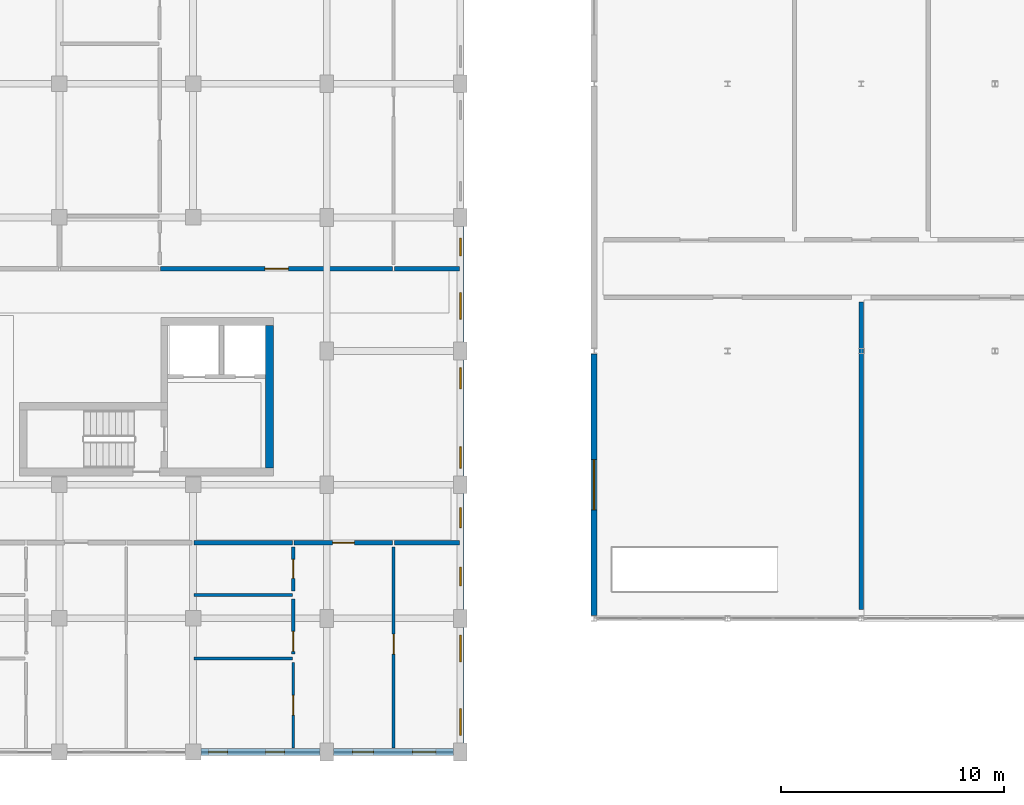
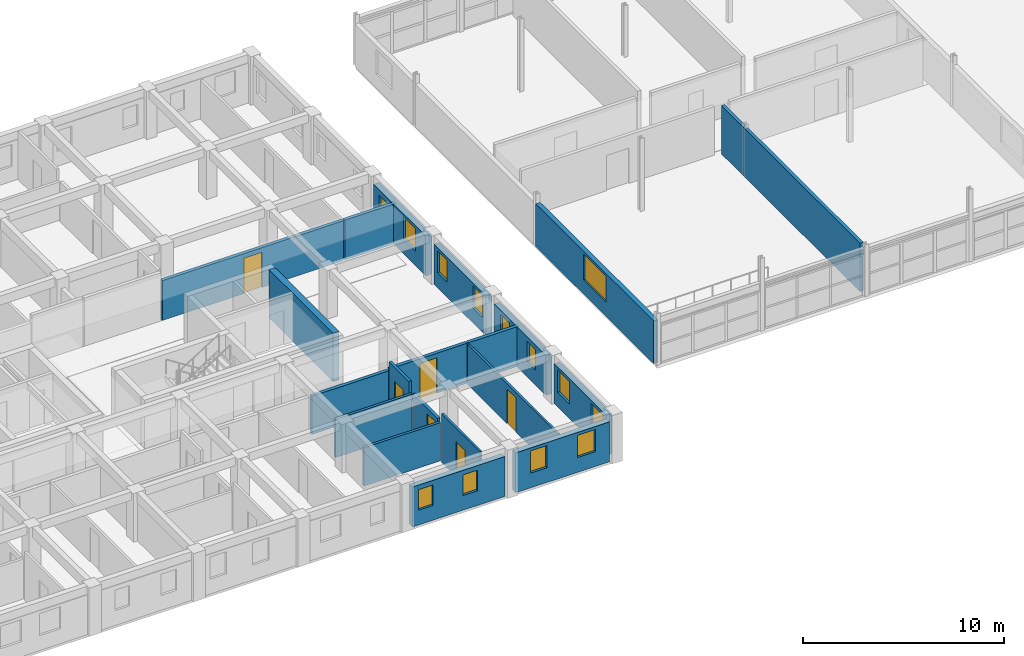
# One storey, part 108 of 137: 20 walls, 13 windows, 6 doors, 19 openings.
"""IFC4 building model written with IfcOpenShell, lengths in metres."""

from ifc_helpers import new_model, si_unit, direction, frame, frame_2d, origin, place, context, subcontext, project, spatial, rectangle, extrude, material, layer, layer_set, type_object, element, fill, save


model = new_model("IFC4")

# Units and contexts
model_context = context("Model", 3, precision=1e-05, world=origin(), true_north=direction((0.0, 1.0)))
body_context = subcontext(model_context, "Body", "Model", "MODEL_VIEW")
ifc_project = project(units=[si_unit("LENGTHUNIT", "METRE"), si_unit("AREAUNIT", "SQUARE_METRE"), si_unit("VOLUMEUNIT", "CUBIC_METRE"), si_unit("PLANEANGLEUNIT", "RADIAN"), si_unit("MASSUNIT", "GRAM", prefix="KILO"), si_unit("POWERUNIT", "WATT"), si_unit("THERMODYNAMICTEMPERATUREUNIT", "KELVIN")], contexts=[model_context])

# Site, building, storey
site_placement = place(None, origin())
site = spatial("IfcSite", under=ifc_project, at=site_placement, CompositionType="ELEMENT")
building_placement = place(site_placement, origin())
building = spatial("IfcBuilding", under=site, at=building_placement, Name="Ruvembo Vaulted Housing Court", CompositionType="ELEMENT")
storey_placement = place(building_placement, frame((0.0, 0.0, 4.5)))
storey = spatial("IfcBuildingStorey", under=building, at=storey_placement, Name="L01", CompositionType="ELEMENT", Elevation=4.5)

# Walls
ifc_material_1 = material(Name="Concrete C35/45", Category="concrete")
ifc_layer_1 = layer(ifc_material_1, 0.35009765625, Name="Concrete C35/45")
ifc_layer_set_1 = layer_set([ifc_layer_1], Name="Concrete C35/45")
wall_type_1 = type_object("IfcWallType", Name="WL-CORE-350", PredefinedType="SHEAR", material=ifc_layer_set_1)
wall_1_placement = place(storey_placement, frame((129.425048828125, 12.75, 0.0), z_axis=(0.0, 0.0, 1.0), x_axis=(0.0, 1.0, 0.0)))
element("IfcWall", 1, at=wall_1_placement, inside=storey, type_object=wall_type_1, Name="Core C2 L01 East Shear Wall", PredefinedType="SHEAR", context=body_context, shape_type="SweptSolid", body=[
    extrude(rectangle(XDim=6.39990234375, YDim=0.35009765625, at=frame_2d((3.199951171875, 0.0))), origin(), (0.0, 0.0, 1.0), 2.945068359375),
])
ifc_material_2 = material(Name="Concrete Blockwork 190", Category="masonry")
ifc_layer_2 = layer(ifc_material_2, 0.18994140625, Name="Concrete Blockwork 190")
ifc_layer_set_2 = layer_set([ifc_layer_2], Name="Concrete Blockwork 190")
wall_type_2 = type_object("IfcWallType", Name="WL-CORR-190", PredefinedType="SOLIDWALL", material=ifc_layer_set_2)
wall_2_placement = place(storey_placement, frame((156.0, 6.389892578125, 0.0), z_axis=(0.0, 0.0, 1.0), x_axis=(0.0, 1.0, 0.0)))
element("IfcWall", 2, at=wall_2_placement, inside=storey, type_object=wall_type_2, Name="L01 Resident Coworking Studio West Div WL-INT-L01-00171", PredefinedType="SOLIDWALL", context=body_context, shape_type="SweptSolid", body=[
    extrude(rectangle(XDim=13.820068359375, YDim=0.18994140625, at=frame_2d((6.91015625, 0.0))), origin(), (0.0, 0.0, 1.0), 2.945068359375),
])
wall_3_placement = place(storey_placement, frame((126.0400390625, 9.39990234375, 0.0), z_axis=(0.0, 0.0, 1.0), x_axis=(1.0, 0.0, 0.0)))
element("IfcWall", 3, at=wall_3_placement, inside=storey, type_object=wall_type_2, Name="L01 Flat C-L01-S3 Corridor Wall WL-INT-L01-00294", PredefinedType="SOLIDWALL", context=body_context, shape_type="SweptSolid", body=[
    extrude(rectangle(XDim=4.419921875, YDim=0.18994140625, at=frame_2d((2.2099609375, 0.0))), origin(), (0.0, 0.0, 1.0), 2.326904296875),
])

# Wall, opening, door
wall_4_placement = place(storey_placement, frame((130.5400390625, 9.39990234375, 0.0), z_axis=(0.0, 0.0, 1.0), x_axis=(1.0, 0.0, 0.0)))
wall_4 = element("IfcWall", 4, at=wall_4_placement, inside=storey, type_object=wall_type_2, Name="L01 Flat C-L01-S3 Entrance WL-INT-L01-00295", PredefinedType="SOLIDWALL", context=body_context, shape_type="SweptSolid", body=[
    extrude(rectangle(XDim=4.419921875, YDim=0.18994140625, at=frame_2d((2.2099609375, 0.0))), origin(), (0.0, 0.0, 1.0), 2.427001953125),
])
opening_1_placement = place(wall_4_placement, frame((1.719970703125, 0.0, 0.0)))
opening_1 = element("IfcOpeningElement", 5, at=opening_1_placement, cuts=wall_4, Name="Opening FD2", PredefinedType="OPENING", context=body_context, shape_type="SweptSolid", body=[
    extrude(rectangle(XDim=0.97998046875, YDim=2.14990234375, at=frame_2d((0.489990234375, 1.074951171875))), frame((0.0, 0.10498046875, 0.0), z_axis=(0.0, -1.0, 0.0), x_axis=(1.0, 0.0, 0.0)), (0.0, 0.0, 1.0), 0.2099609375),
])
ifc_material_3 = material(Name="FSC Hardwood and Engineered Timber", Category="wood")
door_type_1 = type_object("IfcDoorType", Name="DR-FLAT-0980x2150", OperationType="NOTDEFINED", PredefinedType="DOOR", material=ifc_material_3)
door_1_placement = place(opening_1_placement, origin())
door_1 = element("IfcDoor", 6, at=door_1_placement, inside=storey, type_object=door_type_1, Name="L01 Flat C-L01-S3 Entrance Door DR-INT-L01-00148", OperationType="SINGLE_SWING_RIGHT", OverallHeight=2.14990234375, OverallWidth=0.97998046875, PredefinedType="DOOR", context=body_context, shape_type="SweptSolid", body=[
    extrude(rectangle(XDim=0.97998046875, YDim=2.14990234375, at=frame_2d((0.489990234375, 1.074951171875))), frame((0.0, 0.02490234375, 0.0), z_axis=(0.0, -1.0, 0.0), x_axis=(1.0, 0.0, 0.0)), (0.0, 0.0, 1.0), 0.050048828125),
])
fill(opening_1, door_1)

# Wall
wall_5_placement = place(storey_placement, frame((135.0400390625, 9.39990234375, 0.0), z_axis=(0.0, 0.0, 1.0), x_axis=(1.0, 0.0, 0.0)))
element("IfcWall", 7, at=wall_5_placement, inside=storey, type_object=wall_type_2, Name="L01 Flat C-L01-S3 Corridor Wall 2 WL-INT-L01-00301", PredefinedType="SOLIDWALL", context=body_context, shape_type="SweptSolid", body=[
    extrude(rectangle(XDim=2.919921875, YDim=0.18994140625, at=frame_2d((1.4599609375, 0.0))), origin(), (0.0, 0.0, 1.0), 2.427001953125),
])

# Wall, opening, door
wall_6_placement = place(storey_placement, frame((124.5400390625, 21.699951171875, 0.0), z_axis=(0.0, 0.0, 1.0), x_axis=(1.0, 0.0, 0.0)))
wall_6 = element("IfcWall", 8, at=wall_6_placement, inside=storey, type_object=wall_type_2, Name="L01 Flat C-L01-N2 Entrance WL-INT-L01-00314", PredefinedType="SOLIDWALL", context=body_context, shape_type="SweptSolid", body=[
    extrude(rectangle(XDim=10.419921875, YDim=0.18994140625, at=frame_2d((5.2099609375, 0.0))), origin(), (0.0, 0.0, 1.0), 2.427001953125),
])
opening_2_placement = place(wall_6_placement, frame((4.68505859375, 0.0, 0.0)))
opening_2 = element("IfcOpeningElement", 9, at=opening_2_placement, cuts=wall_6, Name="Opening FD3", PredefinedType="OPENING", context=body_context, shape_type="SweptSolid", body=[
    extrude(rectangle(XDim=1.050048828125, YDim=2.14990234375, at=frame_2d((0.52490234375, 1.074951171875))), frame((0.0, 0.10498046875, 0.0), z_axis=(0.0, -1.0, 0.0), x_axis=(1.0, 0.0, 0.0)), (0.0, 0.0, 1.0), 0.2099609375),
])
door_type_2 = type_object("IfcDoorType", Name="DR-FLAT-1050x2150", OperationType="NOTDEFINED", PredefinedType="DOOR", material=ifc_material_3)
door_2_placement = place(opening_2_placement, origin())
door_2 = element("IfcDoor", 10, at=door_2_placement, inside=storey, type_object=door_type_2, Name="L01 Flat C-L01-N2 Entrance Door DR-INT-L01-00158", OperationType="SINGLE_SWING_RIGHT", OverallHeight=2.14990234375, OverallWidth=1.050048828125, PredefinedType="DOOR", context=body_context, shape_type="SweptSolid", body=[
    extrude(rectangle(XDim=1.050048828125, YDim=2.14990234375, at=frame_2d((0.52490234375, 1.074951171875))), frame((0.0, 0.02490234375, 0.0), z_axis=(0.0, -1.0, 0.0), x_axis=(1.0, 0.0, 0.0)), (0.0, 0.0, 1.0), 0.050048828125),
])
fill(opening_2, door_2)

# Wall
wall_7_placement = place(storey_placement, frame((135.0400390625, 21.699951171875, 0.0), z_axis=(0.0, 0.0, 1.0), x_axis=(1.0, 0.0, 0.0)))
element("IfcWall", 11, at=wall_7_placement, inside=storey, type_object=wall_type_2, Name="L01 Flat C-L01-N2 Corridor Wall 2 WL-INT-L01-00320", PredefinedType="SOLIDWALL", context=body_context, shape_type="SweptSolid", body=[
    extrude(rectangle(XDim=2.919921875, YDim=0.18994140625, at=frame_2d((1.4599609375, 0.0))), origin(), (0.0, 0.0, 1.0), 2.427001953125),
])

# Wall, opening, window
ifc_material_4 = material(Name="Rendered Masonry 260", Category="masonry")
ifc_layer_3 = layer(ifc_material_4, 0.260009765625, Name="Rendered Masonry 260")
ifc_layer_set_3 = layer_set([ifc_layer_3], Name="Rendered Masonry 260")
wall_type_3 = type_object("IfcWallType", Name="WL-EXT-260", PredefinedType="STANDARD", material=ifc_layer_set_3)
wall_8_placement = place(storey_placement, frame((144.0, 17.8798828125, 0.0), z_axis=(0.0, 0.0, 1.0), x_axis=(0.0, -1.0, 0.0)))
wall_8 = element("IfcWall", 12, at=wall_8_placement, inside=storey, type_object=wall_type_3, Name="Shops W Facade Wall L01 Bay 1", PredefinedType="STANDARD", context=body_context, shape_type="SweptSolid", body=[
    extrude(rectangle(XDim=11.759765625, YDim=0.260009765625, at=frame_2d((5.8798828125, 0.0))), origin(), (0.0, 0.0, 1.0), 2.60009765625),
])
opening_3_placement = place(wall_8_placement, frame((4.7548828125, 0.0, 0.85009765625)))
opening_3 = element("IfcOpeningElement", 13, at=opening_3_placement, cuts=wall_8, Name="Opening W27", PredefinedType="OPENING", context=body_context, shape_type="SweptSolid", body=[
    extrude(rectangle(XDim=2.25, YDim=1.580078125, at=frame_2d((1.125, 0.7900390625))), frame((0.0, 0.139892578125, 0.0), z_axis=(0.0, -1.0, 0.0), x_axis=(1.0, 0.0, 0.0)), (0.0, 0.0, 1.0), 0.280029296875),
])
ifc_material_5 = material(Name="Double Solar-Control Glazing in Aluminium Frame", Category="aluminium")
window_type_1 = type_object("IfcWindowType", Name="WIN-2250x1600", PartitioningType="SINGLE_PANEL", PredefinedType="WINDOW", material=ifc_material_5)
window_1_placement = place(opening_3_placement, origin())
window_1 = element("IfcWindow", 14, at=window_1_placement, inside=storey, type_object=window_type_1, Name="Shops W Window L01 #1", OverallHeight=1.580078125, OverallWidth=2.25, PartitioningType="SINGLE_PANEL", PredefinedType="WINDOW", context=body_context, shape_type="SweptSolid", body=[
    extrude(rectangle(XDim=2.25, YDim=1.580078125, at=frame_2d((1.125, 0.7900390625))), frame((0.0, 0.030029296875, 0.0), z_axis=(0.0, -1.0, 0.0), x_axis=(1.0, 0.0, 0.0)), (0.0, 0.0, 1.0), 0.06005859375),
])
fill(opening_3, window_1)

# Wall, openings, windows
ifc_material_6 = material(Name="Rendered Masonry 320", Category="masonry")
ifc_layer_4 = layer(ifc_material_6, 0.320068359375, Name="Rendered Masonry 320")
ifc_layer_set_4 = layer_set([ifc_layer_4], Name="Rendered Masonry 320")
wall_type_4 = type_object("IfcWallType", Name="WL-EXT-320", PredefinedType="STANDARD", material=ifc_layer_set_4)
wall_9_placement = place(storey_placement, frame((126.35009765625, 0.0, 0.0), z_axis=(0.0, 0.0, 1.0), x_axis=(1.0, 0.0, 0.0)))
wall_9 = element("IfcWall", 15, at=wall_9_placement, inside=storey, type_object=wall_type_4, Name="Block C L01 Exterior Wall STREET #5", PredefinedType="STANDARD", context=body_context, shape_type="SweptSolid", body=[
    extrude(rectangle(XDim=5.349853515625, YDim=0.320068359375, at=frame_2d((2.6748046875, 0.0))), origin(), (0.0, 0.0, 1.0), 2.427001953125),
])
opening_4_placement = place(wall_9_placement, frame((0.35009765625, 0.0, 0.89990234375)))
opening_4 = element("IfcOpeningElement", 16, at=opening_4_placement, cuts=wall_9, Name="Opening W03", PredefinedType="OPENING", context=body_context, shape_type="SweptSolid", body=[
    extrude(rectangle(XDim=0.85009765625, YDim=1.25, at=frame_2d((0.425048828125, 0.625))), frame((0.0, 0.169921875, 0.0), z_axis=(0.0, -1.0, 0.0), x_axis=(1.0, 0.0, 0.0)), (0.0, 0.0, 1.0), 0.340087890625),
])
opening_5_placement = place(wall_9_placement, frame((2.909912109375, 0.0, 0.89990234375)))
opening_5 = element("IfcOpeningElement", 17, at=opening_5_placement, cuts=wall_9, Name="Opening W03", PredefinedType="OPENING", context=body_context, shape_type="SweptSolid", body=[
    extrude(rectangle(XDim=0.85009765625, YDim=1.25, at=frame_2d((0.425048828125, 0.625))), frame((0.0, 0.169921875, 0.0), z_axis=(0.0, -1.0, 0.0), x_axis=(1.0, 0.0, 0.0)), (0.0, 0.0, 1.0), 0.340087890625),
])
window_type_2 = type_object("IfcWindowType", Name="WIN-0850x1250", PartitioningType="SINGLE_PANEL", PredefinedType="WINDOW", material=ifc_material_5)
window_2_placement = place(opening_4_placement, origin())
window_2 = element("IfcWindow", 18, at=window_2_placement, inside=storey, type_object=window_type_2, Name="Block C L01 Window #1117", OverallHeight=1.25, OverallWidth=0.85009765625, PartitioningType="SINGLE_PANEL", PredefinedType="WINDOW", context=body_context, shape_type="SweptSolid", body=[
    extrude(rectangle(XDim=0.85009765625, YDim=1.25, at=frame_2d((0.425048828125, 0.625))), frame((0.0, 0.030029296875, 0.0), z_axis=(0.0, -1.0, 0.0), x_axis=(1.0, 0.0, 0.0)), (0.0, 0.0, 1.0), 0.06005859375),
])
fill(opening_4, window_2)
window_3_placement = place(opening_5_placement, origin())
window_3 = element("IfcWindow", 19, at=window_3_placement, inside=storey, type_object=window_type_2, Name="Block C L01 Window #1118", OverallHeight=1.25, OverallWidth=0.85009765625, PartitioningType="SINGLE_PANEL", PredefinedType="WINDOW", context=body_context, shape_type="SweptSolid", body=[
    extrude(rectangle(XDim=0.85009765625, YDim=1.25, at=frame_2d((0.425048828125, 0.625))), frame((0.0, 0.030029296875, 0.0), z_axis=(0.0, -1.0, 0.0), x_axis=(1.0, 0.0, 0.0)), (0.0, 0.0, 1.0), 0.06005859375),
])
fill(opening_5, window_3)

wall_10_placement = place(storey_placement, frame((132.300048828125, 0.0, 0.0), z_axis=(0.0, 0.0, 1.0), x_axis=(1.0, 0.0, 0.0)))
wall_10 = element("IfcWall", 20, at=wall_10_placement, inside=storey, type_object=wall_type_4, Name="Block C L01 Exterior Wall STREET #6", PredefinedType="STANDARD", context=body_context, shape_type="SweptSolid", body=[
    extrude(rectangle(XDim=5.39990234375, YDim=0.320068359375, at=frame_2d((2.699951171875, 0.0))), origin(), (0.0, 0.0, 1.0), 2.427001953125),
])
opening_6_placement = place(wall_10_placement, frame((0.85498046875, 0.0, 0.89990234375)))
opening_6 = element("IfcOpeningElement", 21, at=opening_6_placement, cuts=wall_10, Name="Opening W07", PredefinedType="OPENING", context=body_context, shape_type="SweptSolid", body=[
    extrude(rectangle(XDim=0.949951171875, YDim=1.35009765625, at=frame_2d((0.47509765625, 0.675048828125))), frame((0.0, 0.169921875, 0.0), z_axis=(0.0, -1.0, 0.0), x_axis=(1.0, 0.0, 0.0)), (0.0, 0.0, 1.0), 0.340087890625),
])
opening_7_placement = place(wall_10_placement, frame((3.544921875, 0.0, 0.89990234375)))
opening_7 = element("IfcOpeningElement", 22, at=opening_7_placement, cuts=wall_10, Name="Opening W09", PredefinedType="OPENING", context=body_context, shape_type="SweptSolid", body=[
    extrude(rectangle(XDim=1.050048828125, YDim=1.35009765625, at=frame_2d((0.52490234375, 0.675048828125))), frame((0.0, 0.169921875, 0.0), z_axis=(0.0, -1.0, 0.0), x_axis=(1.0, 0.0, 0.0)), (0.0, 0.0, 1.0), 0.340087890625),
])
window_type_3 = type_object("IfcWindowType", Name="WIN-0950x1350", PartitioningType="SINGLE_PANEL", PredefinedType="WINDOW", material=ifc_material_5)
window_4_placement = place(opening_6_placement, origin())
window_4 = element("IfcWindow", 23, at=window_4_placement, inside=storey, type_object=window_type_3, Name="Block C L01 Window #1119", OverallHeight=1.35009765625, OverallWidth=0.949951171875, PartitioningType="SINGLE_PANEL", PredefinedType="WINDOW", context=body_context, shape_type="SweptSolid", body=[
    extrude(rectangle(XDim=0.949951171875, YDim=1.35009765625, at=frame_2d((0.47509765625, 0.675048828125))), frame((0.0, 0.030029296875, 0.0), z_axis=(0.0, -1.0, 0.0), x_axis=(1.0, 0.0, 0.0)), (0.0, 0.0, 1.0), 0.06005859375),
])
fill(opening_6, window_4)
window_type_4 = type_object("IfcWindowType", Name="WIN-1050x1350", PartitioningType="SINGLE_PANEL", PredefinedType="WINDOW", material=ifc_material_5)
window_5_placement = place(opening_7_placement, origin())
window_5 = element("IfcWindow", 24, at=window_5_placement, inside=storey, type_object=window_type_4, Name="Block C L01 Window #1120", OverallHeight=1.35009765625, OverallWidth=1.050048828125, PartitioningType="SINGLE_PANEL", PredefinedType="WINDOW", context=body_context, shape_type="SweptSolid", body=[
    extrude(rectangle(XDim=1.050048828125, YDim=1.35009765625, at=frame_2d((0.52490234375, 0.675048828125))), frame((0.0, 0.030029296875, 0.0), z_axis=(0.0, -1.0, 0.0), x_axis=(1.0, 0.0, 0.0)), (0.0, 0.0, 1.0), 0.06005859375),
])
fill(opening_7, window_5)

wall_11_placement = place(storey_placement, frame((138.0, 0.39990234375, 0.0), z_axis=(0.0, 0.0, 1.0), x_axis=(0.0, 1.0, 0.0)))
wall_11 = element("IfcWall", 25, at=wall_11_placement, inside=storey, type_object=wall_type_4, Name="Block C L01 Exterior Wall EAST #1", PredefinedType="STANDARD", context=body_context, shape_type="SweptSolid", body=[
    extrude(rectangle(XDim=5.2001953125, YDim=0.320068359375, at=frame_2d((2.60009765625, 0.0))), origin(), (0.0, 0.0, 1.0), 2.427001953125),
])
opening_8_placement = place(wall_11_placement, frame((0.35009765625, 0.0, 0.89990234375)))
opening_8 = element("IfcOpeningElement", 26, at=opening_8_placement, cuts=wall_11, Name="Opening W12", PredefinedType="OPENING", context=body_context, shape_type="SweptSolid", body=[
    extrude(rectangle(XDim=1.199951171875, YDim=1.35009765625, at=frame_2d((0.60009765625, 0.675048828125))), frame((0.0, 0.169921875, 0.0), z_axis=(0.0, -1.0, 0.0), x_axis=(1.0, 0.0, 0.0)), (0.0, 0.0, 1.0), 0.340087890625),
])
opening_9_placement = place(wall_11_placement, frame((3.64990234375, 0.0, 0.89990234375)))
opening_9 = element("IfcOpeningElement", 27, at=opening_9_placement, cuts=wall_11, Name="Opening W12", PredefinedType="OPENING", context=body_context, shape_type="SweptSolid", body=[
    extrude(rectangle(XDim=1.199951171875, YDim=1.35009765625, at=frame_2d((0.60009765625, 0.675048828125))), frame((0.0, 0.169921875, 0.0), z_axis=(0.0, -1.0, 0.0), x_axis=(1.0, 0.0, 0.0)), (0.0, 0.0, 1.0), 0.340087890625),
])
window_type_5 = type_object("IfcWindowType", Name="WIN-1200x1350", PartitioningType="SINGLE_PANEL", PredefinedType="WINDOW", material=ifc_material_5)
window_6_placement = place(opening_8_placement, origin())
window_6 = element("IfcWindow", 28, at=window_6_placement, inside=storey, type_object=window_type_5, Name="Block C L01 Window #1121", OverallHeight=1.35009765625, OverallWidth=1.199951171875, PartitioningType="SINGLE_PANEL", PredefinedType="WINDOW", context=body_context, shape_type="SweptSolid", body=[
    extrude(rectangle(XDim=1.199951171875, YDim=1.35009765625, at=frame_2d((0.60009765625, 0.675048828125))), frame((0.0, 0.030029296875, 0.0), z_axis=(0.0, -1.0, 0.0), x_axis=(1.0, 0.0, 0.0)), (0.0, 0.0, 1.0), 0.06005859375),
])
fill(opening_8, window_6)
window_7_placement = place(opening_9_placement, origin())
window_7 = element("IfcWindow", 29, at=window_7_placement, inside=storey, type_object=window_type_5, Name="Block C L01 Window #1122", OverallHeight=1.35009765625, OverallWidth=1.199951171875, PartitioningType="SINGLE_PANEL", PredefinedType="WINDOW", context=body_context, shape_type="SweptSolid", body=[
    extrude(rectangle(XDim=1.199951171875, YDim=1.35009765625, at=frame_2d((0.60009765625, 0.675048828125))), frame((0.0, 0.030029296875, 0.0), z_axis=(0.0, -1.0, 0.0), x_axis=(1.0, 0.0, 0.0)), (0.0, 0.0, 1.0), 0.06005859375),
])
fill(opening_9, window_7)

wall_12_placement = place(storey_placement, frame((138.0, 6.39990234375, 0.0), z_axis=(0.0, 0.0, 1.0), x_axis=(0.0, 1.0, 0.0)))
wall_12 = element("IfcWall", 30, at=wall_12_placement, inside=storey, type_object=wall_type_4, Name="Block C L01 Exterior Wall EAST #2", PredefinedType="STANDARD", context=body_context, shape_type="SweptSolid", body=[
    extrude(rectangle(XDim=5.2001953125, YDim=0.320068359375, at=frame_2d((2.60009765625, 0.0))), origin(), (0.0, 0.0, 1.0), 2.427001953125),
])
opening_10_placement = place(wall_12_placement, frame((1.054931640625, 0.0, 0.89990234375)))
opening_10 = element("IfcOpeningElement", 31, at=opening_10_placement, cuts=wall_12, Name="Opening W03", PredefinedType="OPENING", context=body_context, shape_type="SweptSolid", body=[
    extrude(rectangle(XDim=0.85009765625, YDim=1.25, at=frame_2d((0.425048828125, 0.625))), frame((0.0, 0.169921875, 0.0), z_axis=(0.0, -1.0, 0.0), x_axis=(1.0, 0.0, 0.0)), (0.0, 0.0, 1.0), 0.340087890625),
])
opening_11_placement = place(wall_12_placement, frame((3.669921875, 0.0, 0.89990234375)))
opening_11 = element("IfcOpeningElement", 32, at=opening_11_placement, cuts=wall_12, Name="Opening W04", PredefinedType="OPENING", context=body_context, shape_type="SweptSolid", body=[
    extrude(rectangle(XDim=0.89990234375, YDim=1.300048828125, at=frame_2d((0.449951171875, 0.64990234375))), frame((0.0, 0.169921875, 0.0), z_axis=(0.0, -1.0, 0.0), x_axis=(1.0, 0.0, 0.0)), (0.0, 0.0, 1.0), 0.340087890625),
])
window_8_placement = place(opening_10_placement, origin())
window_8 = element("IfcWindow", 33, at=window_8_placement, inside=storey, type_object=window_type_2, Name="Block C L01 Window #1123", OverallHeight=1.25, OverallWidth=0.85009765625, PartitioningType="SINGLE_PANEL", PredefinedType="WINDOW", context=body_context, shape_type="SweptSolid", body=[
    extrude(rectangle(XDim=0.85009765625, YDim=1.25, at=frame_2d((0.425048828125, 0.625))), frame((0.0, 0.030029296875, 0.0), z_axis=(0.0, -1.0, 0.0), x_axis=(1.0, 0.0, 0.0)), (0.0, 0.0, 1.0), 0.06005859375),
])
fill(opening_10, window_8)
window_type_6 = type_object("IfcWindowType", Name="WIN-0900x1300", PartitioningType="SINGLE_PANEL", PredefinedType="WINDOW", material=ifc_material_5)
window_9_placement = place(opening_11_placement, origin())
window_9 = element("IfcWindow", 34, at=window_9_placement, inside=storey, type_object=window_type_6, Name="Block C L01 Window #1124", OverallHeight=1.300048828125, OverallWidth=0.89990234375, PartitioningType="SINGLE_PANEL", PredefinedType="WINDOW", context=body_context, shape_type="SweptSolid", body=[
    extrude(rectangle(XDim=0.89990234375, YDim=1.300048828125, at=frame_2d((0.449951171875, 0.64990234375))), frame((0.0, 0.030029296875, 0.0), z_axis=(0.0, -1.0, 0.0), x_axis=(1.0, 0.0, 0.0)), (0.0, 0.0, 1.0), 0.06005859375),
])
fill(opening_11, window_9)

wall_13_placement = place(storey_placement, frame((138.0, 12.39990234375, 0.0), z_axis=(0.0, 0.0, 1.0), x_axis=(0.0, 1.0, 0.0)))
wall_13 = element("IfcWall", 35, at=wall_13_placement, inside=storey, type_object=wall_type_4, Name="Block C L01 Exterior Wall EAST #3", PredefinedType="STANDARD", context=body_context, shape_type="SweptSolid", body=[
    extrude(rectangle(XDim=5.2001953125, YDim=0.320068359375, at=frame_2d((2.60009765625, 0.0))), origin(), (0.0, 0.0, 1.0), 2.427001953125),
])
opening_12_placement = place(wall_13_placement, frame((0.35009765625, 0.0, 0.89990234375)))
opening_12 = element("IfcOpeningElement", 36, at=opening_12_placement, cuts=wall_13, Name="Opening W07", PredefinedType="OPENING", context=body_context, shape_type="SweptSolid", body=[
    extrude(rectangle(XDim=0.949951171875, YDim=1.35009765625, at=frame_2d((0.47509765625, 0.675048828125))), frame((0.0, 0.169921875, 0.0), z_axis=(0.0, -1.0, 0.0), x_axis=(1.0, 0.0, 0.0)), (0.0, 0.0, 1.0), 0.340087890625),
])
opening_13_placement = place(wall_13_placement, frame((3.89990234375, 0.0, 0.89990234375)))
opening_13 = element("IfcOpeningElement", 37, at=opening_13_placement, cuts=wall_13, Name="Opening W07", PredefinedType="OPENING", context=body_context, shape_type="SweptSolid", body=[
    extrude(rectangle(XDim=0.949951171875, YDim=1.35009765625, at=frame_2d((0.47509765625, 0.675048828125))), frame((0.0, 0.169921875, 0.0), z_axis=(0.0, -1.0, 0.0), x_axis=(1.0, 0.0, 0.0)), (0.0, 0.0, 1.0), 0.340087890625),
])
window_10_placement = place(opening_12_placement, origin())
window_10 = element("IfcWindow", 38, at=window_10_placement, inside=storey, type_object=window_type_3, Name="Block C L01 Window #1125", OverallHeight=1.35009765625, OverallWidth=0.949951171875, PartitioningType="SINGLE_PANEL", PredefinedType="WINDOW", context=body_context, shape_type="SweptSolid", body=[
    extrude(rectangle(XDim=0.949951171875, YDim=1.35009765625, at=frame_2d((0.47509765625, 0.675048828125))), frame((0.0, 0.030029296875, 0.0), z_axis=(0.0, -1.0, 0.0), x_axis=(1.0, 0.0, 0.0)), (0.0, 0.0, 1.0), 0.06005859375),
])
fill(opening_12, window_10)
window_11_placement = place(opening_13_placement, origin())
window_11 = element("IfcWindow", 39, at=window_11_placement, inside=storey, type_object=window_type_3, Name="Block C L01 Window #1126", OverallHeight=1.35009765625, OverallWidth=0.949951171875, PartitioningType="SINGLE_PANEL", PredefinedType="WINDOW", context=body_context, shape_type="SweptSolid", body=[
    extrude(rectangle(XDim=0.949951171875, YDim=1.35009765625, at=frame_2d((0.47509765625, 0.675048828125))), frame((0.0, 0.030029296875, 0.0), z_axis=(0.0, -1.0, 0.0), x_axis=(1.0, 0.0, 0.0)), (0.0, 0.0, 1.0), 0.06005859375),
])
fill(opening_13, window_11)

wall_14_placement = place(storey_placement, frame((138.0, 18.39990234375, 0.0), z_axis=(0.0, 0.0, 1.0), x_axis=(0.0, 1.0, 0.0)))
wall_14 = element("IfcWall", 40, at=wall_14_placement, inside=storey, type_object=wall_type_4, Name="Block C L01 Exterior Wall EAST #4", PredefinedType="STANDARD", context=body_context, shape_type="SweptSolid", body=[
    extrude(rectangle(XDim=5.2001953125, YDim=0.320068359375, at=frame_2d((2.60009765625, 0.0))), origin(), (0.0, 0.0, 1.0), 2.427001953125),
])
opening_14_placement = place(wall_14_placement, frame((1.030029296875, 0.0, 0.89990234375)))
opening_14 = element("IfcOpeningElement", 41, at=opening_14_placement, cuts=wall_14, Name="Opening W12", PredefinedType="OPENING", context=body_context, shape_type="SweptSolid", body=[
    extrude(rectangle(XDim=1.199951171875, YDim=1.35009765625, at=frame_2d((0.60009765625, 0.675048828125))), frame((0.0, 0.169921875, 0.0), z_axis=(0.0, -1.0, 0.0), x_axis=(1.0, 0.0, 0.0)), (0.0, 0.0, 1.0), 0.340087890625),
])
opening_15_placement = place(wall_14_placement, frame((3.8701171875, 0.0, 0.89990234375)))
opening_15 = element("IfcOpeningElement", 42, at=opening_15_placement, cuts=wall_14, Name="Opening W02", PredefinedType="OPENING", context=body_context, shape_type="SweptSolid", body=[
    extrude(rectangle(XDim=0.800048828125, YDim=1.199951171875, at=frame_2d((0.39990234375, 0.60009765625))), frame((0.0, 0.169921875, 0.0), z_axis=(0.0, -1.0, 0.0), x_axis=(1.0, 0.0, 0.0)), (0.0, 0.0, 1.0), 0.340087890625),
])
window_type_7 = type_object("IfcWindowType", Name="WIN-0800x1200", PartitioningType="SINGLE_PANEL", PredefinedType="WINDOW", material=ifc_material_5)
window_12_placement = place(opening_15_placement, origin())
window_12 = element("IfcWindow", 43, at=window_12_placement, inside=storey, type_object=window_type_7, Name="Block C L01 Window #1128", OverallHeight=1.199951171875, OverallWidth=0.800048828125, PartitioningType="SINGLE_PANEL", PredefinedType="WINDOW", context=body_context, shape_type="SweptSolid", body=[
    extrude(rectangle(XDim=0.800048828125, YDim=1.199951171875, at=frame_2d((0.39990234375, 0.60009765625))), frame((0.0, 0.030029296875, 0.0), z_axis=(0.0, -1.0, 0.0), x_axis=(1.0, 0.0, 0.0)), (0.0, 0.0, 1.0), 0.06005859375),
])
fill(opening_15, window_12)
window_13_placement = place(opening_14_placement, origin())
window_13 = element("IfcWindow", 44, at=window_13_placement, inside=storey, type_object=window_type_5, Name="Block C L01 Window #1127", OverallHeight=1.35009765625, OverallWidth=1.199951171875, PartitioningType="SINGLE_PANEL", PredefinedType="WINDOW", context=body_context, shape_type="SweptSolid", body=[
    extrude(rectangle(XDim=1.199951171875, YDim=1.35009765625, at=frame_2d((0.60009765625, 0.675048828125))), frame((0.0, 0.030029296875, 0.0), z_axis=(0.0, -1.0, 0.0), x_axis=(1.0, 0.0, 0.0)), (0.0, 0.0, 1.0), 0.06005859375),
])
fill(opening_14, window_13)

# Wall, opening, door
ifc_material_7 = material(Name="Plasterboard Stud Partition 125", Category="gypsum")
ifc_layer_5 = layer(ifc_material_7, 0.125, Name="Plasterboard Stud Partition 125")
ifc_layer_set_5 = layer_set([ifc_layer_5], Name="Plasterboard Stud Partition 125")
wall_type_5 = type_object("IfcWallType", Name="WL-PART-125", PredefinedType="PARTITIONING", material=ifc_layer_set_5)
wall_15_placement = place(storey_placement, frame((130.5, 0.18994140625, 0.0), z_axis=(0.0, 0.0, 1.0), x_axis=(0.0, 1.0, 0.0)))
wall_15 = element("IfcWall", 45, at=wall_15_placement, inside=storey, type_object=wall_type_5, Name="L01 Flat C-L01-S3 Bedroom 1 WL-INT-L01-00296", PredefinedType="PARTITIONING", context=body_context, shape_type="SweptSolid", body=[
    extrude(rectangle(XDim=3.820068359375, YDim=0.125, at=frame_2d((1.91015625, 0.0))), origin(), (0.0, 0.0, 1.0), 2.945068359375),
])
opening_16_placement = place(wall_15_placement, frame((1.469970703125, 0.0, 0.0)))
opening_16 = element("IfcOpeningElement", 46, at=opening_16_placement, cuts=wall_15, Name="Opening ID3", PredefinedType="OPENING", context=body_context, shape_type="SweptSolid", body=[
    extrude(rectangle(XDim=0.8798828125, YDim=2.10009765625, at=frame_2d((0.43994140625, 1.050048828125))), frame((0.0, 0.072509765625, 0.0), z_axis=(0.0, -1.0, 0.0), x_axis=(1.0, 0.0, 0.0)), (0.0, 0.0, 1.0), 0.14501953125),
])
door_type_3 = type_object("IfcDoorType", Name="DR-ROOM-0880x2100", OperationType="NOTDEFINED", PredefinedType="DOOR", material=ifc_material_3)
door_3_placement = place(opening_16_placement, origin())
door_3 = element("IfcDoor", 47, at=door_3_placement, inside=storey, type_object=door_type_3, Name="L01 Flat C-L01-S3 Bedroom 1 Door DR-INT-L01-00149", OperationType="SINGLE_SWING_LEFT", OverallHeight=2.10009765625, OverallWidth=0.8798828125, PredefinedType="DOOR", context=body_context, shape_type="SweptSolid", body=[
    extrude(rectangle(XDim=0.8798828125, YDim=2.10009765625, at=frame_2d((0.43994140625, 1.050048828125))), frame((0.0, 0.02490234375, 0.0), z_axis=(0.0, -1.0, 0.0), x_axis=(1.0, 0.0, 0.0)), (0.0, 0.0, 1.0), 0.050048828125),
])
fill(opening_16, door_3)

wall_16_placement = place(storey_placement, frame((135.0, 0.18994140625, 0.0), z_axis=(0.0, 0.0, 1.0), x_axis=(0.0, 1.0, 0.0)))
wall_16 = element("IfcWall", 48, at=wall_16_placement, inside=storey, type_object=wall_type_5, Name="L01 Flat C-L01-S3 Bedroom 2 WL-INT-L01-00302", PredefinedType="PARTITIONING", context=body_context, shape_type="SweptSolid", body=[
    extrude(rectangle(XDim=9.02001953125, YDim=0.125, at=frame_2d((4.510009765625, 0.0))), origin(), (0.0, 0.0, 1.0), 2.427001953125),
])
opening_17_placement = place(wall_16_placement, frame((4.199951171875, 0.0, 0.0)))
opening_17 = element("IfcOpeningElement", 49, at=opening_17_placement, cuts=wall_16, Name="Opening ID1", PredefinedType="OPENING", context=body_context, shape_type="SweptSolid", body=[
    extrude(rectangle(XDim=0.89990234375, YDim=2.10009765625, at=frame_2d((0.449951171875, 1.050048828125))), frame((0.0, 0.072509765625, 0.0), z_axis=(0.0, -1.0, 0.0), x_axis=(1.0, 0.0, 0.0)), (0.0, 0.0, 1.0), 0.14501953125),
])
door_type_4 = type_object("IfcDoorType", Name="DR-ROOM-0900x2100", OperationType="NOTDEFINED", PredefinedType="DOOR", material=ifc_material_3)
door_4_placement = place(opening_17_placement, origin())
door_4 = element("IfcDoor", 50, at=door_4_placement, inside=storey, type_object=door_type_4, Name="L01 Flat C-L01-S3 Bedroom 2 Door DR-INT-L01-00152", OperationType="SINGLE_SWING_RIGHT", OverallHeight=2.10009765625, OverallWidth=0.89990234375, PredefinedType="DOOR", context=body_context, shape_type="SweptSolid", body=[
    extrude(rectangle(XDim=0.89990234375, YDim=2.10009765625, at=frame_2d((0.449951171875, 1.050048828125))), frame((0.0, 0.02490234375, 0.0), z_axis=(0.0, -1.0, 0.0), x_axis=(1.0, 0.0, 0.0)), (0.0, 0.0, 1.0), 0.050048828125),
])
fill(opening_17, door_4)

ifc_material_8 = material(Name="Moisture-Resistant Wet Partition 150", Category="gypsum")
ifc_layer_6 = layer(ifc_material_8, 0.14990234375, Name="Moisture-Resistant Wet Partition 150")
ifc_layer_set_6 = layer_set([ifc_layer_6], Name="Moisture-Resistant Wet Partition 150")
wall_type_6 = type_object("IfcWallType", Name="WL-PART-150", PredefinedType="PARTITIONING", material=ifc_layer_set_6)
wall_17_placement = place(storey_placement, frame((130.5, 7.239990234375, 0.0), z_axis=(0.0, 0.0, 1.0), x_axis=(0.0, 1.0, 0.0)))
wall_17 = element("IfcWall", 51, at=wall_17_placement, inside=storey, type_object=wall_type_6, Name="L01 Flat C-L01-S3 Bathroom WL-INT-L01-00298", PredefinedType="PARTITIONING", context=body_context, shape_type="SweptSolid", body=[
    extrude(rectangle(XDim=1.969970703125, YDim=0.14990234375, at=frame_2d((0.98486328125, 0.0))), origin(), (0.0, 0.0, 1.0), 2.945068359375),
])
opening_18_placement = place(wall_17_placement, frame((0.56005859375, 0.0, 0.0)))
opening_18 = element("IfcOpeningElement", 52, at=opening_18_placement, cuts=wall_17, Name="Opening ID2", PredefinedType="OPENING", context=body_context, shape_type="SweptSolid", body=[
    extrude(rectangle(XDim=0.85009765625, YDim=2.10009765625, at=frame_2d((0.425048828125, 1.050048828125))), frame((0.0, 0.0849609375, 0.0), z_axis=(0.0, -1.0, 0.0), x_axis=(1.0, 0.0, 0.0)), (0.0, 0.0, 1.0), 0.169921875),
])
door_type_5 = type_object("IfcDoorType", Name="DR-WET-0850x2100", OperationType="NOTDEFINED", PredefinedType="DOOR", material=ifc_material_3)
door_5_placement = place(opening_18_placement, origin())
door_5 = element("IfcDoor", 53, at=door_5_placement, inside=storey, type_object=door_type_5, Name="L01 Flat C-L01-S3 Bathroom Door DR-INT-L01-00151", OperationType="SINGLE_SWING_LEFT", OverallHeight=2.10009765625, OverallWidth=0.85009765625, PredefinedType="DOOR", context=body_context, shape_type="SweptSolid", body=[
    extrude(rectangle(XDim=0.85009765625, YDim=2.10009765625, at=frame_2d((0.425048828125, 1.050048828125))), frame((0.0, 0.02490234375, 0.0), z_axis=(0.0, -1.0, 0.0), x_axis=(1.0, 0.0, 0.0)), (0.0, 0.0, 1.0), 0.050048828125),
])
fill(opening_18, door_5)

# Walls
for number, where, z_axis, x_axis, name in (
    (54, (126.0400390625, 4.199951171875, 0.0), (0.0, 0.0, 1.0), (1.0, 0.0, 0.0), "L01 Flat C-L01-S3 Wet Wall 1 WL-INT-L01-00299"),
    (55, (126.0400390625, 7.050048828125, 0.0), (0.0, 0.0, 1.0), (1.0, 0.0, 0.0), "L01 Flat C-L01-S3 Wet Wall 2 WL-INT-L01-00300"),
):
    element("IfcWall", number, at=place(storey_placement, frame(where, z_axis=z_axis, x_axis=x_axis)), inside=storey, type_object=wall_type_6, Name=name, PredefinedType="PARTITIONING", context=body_context, shape_type="SweptSolid", body=[
        extrude(rectangle(XDim=4.419921875, YDim=0.14990234375, at=frame_2d((2.2099609375, 0.0))), origin(), (0.0, 0.0, 1.0), 2.326904296875),
    ])

# Wall, opening, door
ifc_material_9 = material(Name="Acoustic Service Chase Wall 160", Category="gypsum")
ifc_layer_7 = layer(ifc_material_9, 0.159912109375, Name="Acoustic Service Chase Wall 160")
ifc_layer_set_7 = layer_set([ifc_layer_7], Name="Acoustic Service Chase Wall 160")
wall_type_7 = type_object("IfcWallType", Name="WL-PLUMB-160", PredefinedType="PLUMBINGWALL", material=ifc_layer_set_7)
wall_18_placement = place(storey_placement, frame((130.5, 4.389892578125, 0.0), z_axis=(0.0, 0.0, 1.0), x_axis=(0.0, 1.0, 0.0)))
wall_18 = element("IfcWall", 56, at=wall_18_placement, inside=storey, type_object=wall_type_7, Name="L01 Flat C-L01-S3 Kitchen WL-INT-L01-00297", PredefinedType="PLUMBINGWALL", context=body_context, shape_type="SweptSolid", body=[
    extrude(rectangle(XDim=2.47021484375, YDim=0.159912109375, at=frame_2d((1.235107421875, 0.0))), origin(), (0.0, 0.0, 1.0), 2.427001953125),
])
opening_19_placement = place(wall_18_placement, frame((0.1298828125, 0.0, 0.0)))
opening_19 = element("IfcOpeningElement", 57, at=opening_19_placement, cuts=wall_18, Name="Opening ID1", PredefinedType="OPENING", context=body_context, shape_type="SweptSolid", body=[
    extrude(rectangle(XDim=0.89990234375, YDim=2.10009765625, at=frame_2d((0.449951171875, 1.050048828125))), frame((0.0, 0.08984375, 0.0), z_axis=(0.0, -1.0, 0.0), x_axis=(1.0, 0.0, 0.0)), (0.0, 0.0, 1.0), 0.179931640625),
])
door_6_placement = place(opening_19_placement, origin())
door_6 = element("IfcDoor", 58, at=door_6_placement, inside=storey, type_object=door_type_4, Name="L01 Flat C-L01-S3 Kitchen Door DR-INT-L01-00150", OperationType="SINGLE_SWING_RIGHT", OverallHeight=2.10009765625, OverallWidth=0.89990234375, PredefinedType="DOOR", context=body_context, shape_type="SweptSolid", body=[
    extrude(rectangle(XDim=0.89990234375, YDim=2.10009765625, at=frame_2d((0.449951171875, 1.050048828125))), frame((0.0, 0.02490234375, 0.0), z_axis=(0.0, -1.0, 0.0), x_axis=(1.0, 0.0, 0.0)), (0.0, 0.0, 1.0), 0.050048828125),
])
fill(opening_19, door_6)

save(model, "model.ifc")
